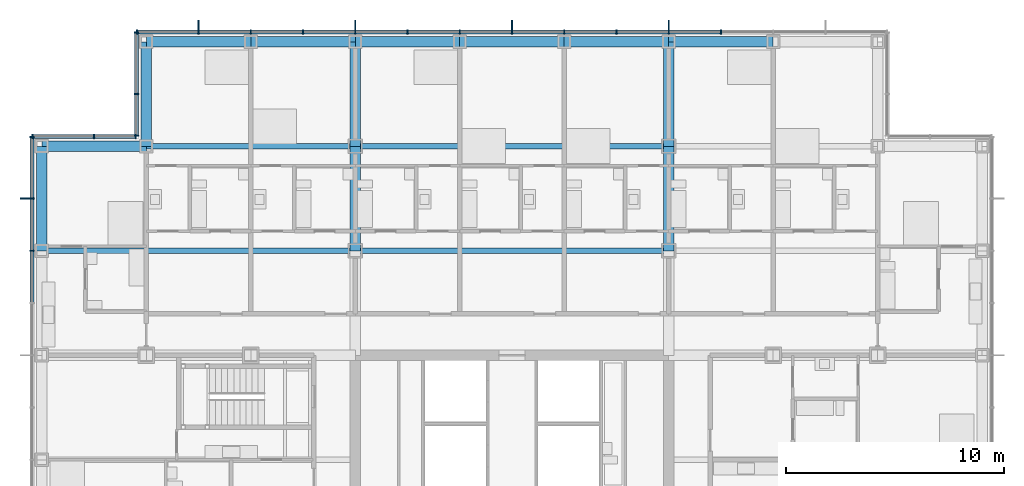
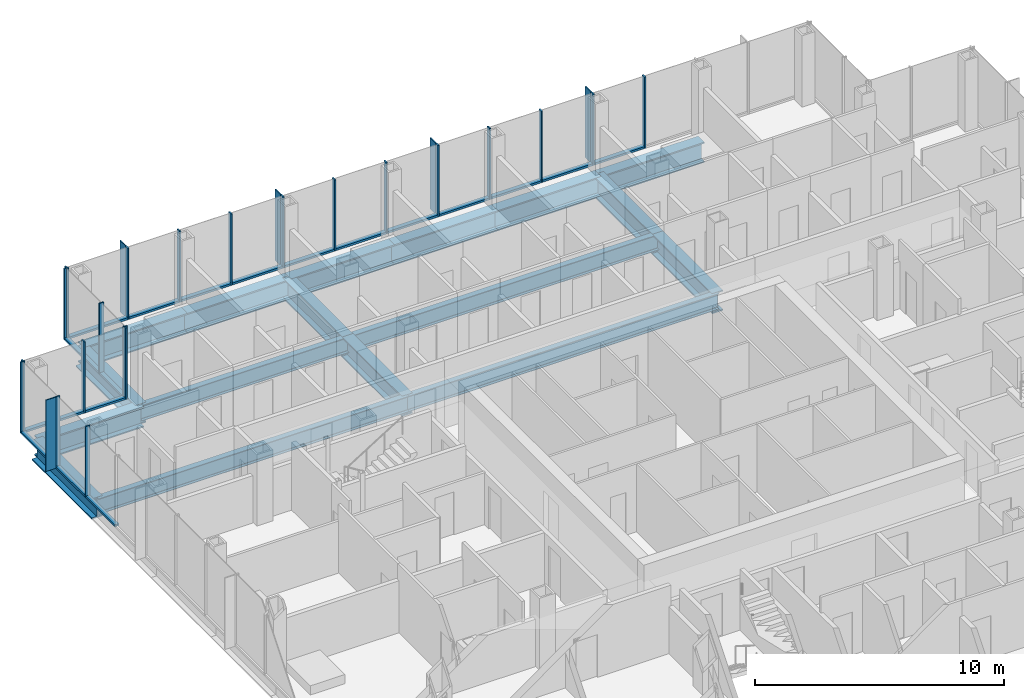
# One storey, part 10 of 22: 44 members, 17 beams, 4 elements without a shape of their own.
"""IFC4 building model written with IfcOpenShell, lengths in metres."""

from ifc_helpers import new_model, si_unit, direction, frame, origin, origin_2d, place, context, subcontext, project, spatial, rectangle, i_section, extrude, material, material_profile, profile_set, type_object, element, aggregate, save


model = new_model("IFC4")

# Units and contexts
model_context = context("Model", 3, precision=1e-05, world=origin(), true_north=direction((0.0, 1.0)))
body_context = subcontext(model_context, "Body", "Model", "MODEL_VIEW")
ifc_project = project(units=[si_unit("LENGTHUNIT", "METRE"), si_unit("AREAUNIT", "SQUARE_METRE"), si_unit("VOLUMEUNIT", "CUBIC_METRE"), si_unit("PLANEANGLEUNIT", "RADIAN"), si_unit("MASSUNIT", "GRAM", prefix="KILO")], contexts=[model_context])

# Site, building, storey
site_placement = place(None, origin())
site = spatial("IfcSite", under=ifc_project, at=site_placement, CompositionType="ELEMENT")
building_placement = place(site_placement, origin())
building = spatial("IfcBuilding", under=site, at=building_placement, Name="Kvirike Care Tower", CompositionType="ELEMENT")
storey_placement = place(building_placement, frame((0.0, 0.0, 69.0)))
storey = spatial("IfcBuildingStorey", under=building, at=storey_placement, Name="L18", CompositionType="ELEMENT", Elevation=69.0)

# Curtain wall, member
ifc_material_1 = material(Name="Anodised aluminium stick system", Category="aluminium")
curtain_wall_type = type_object("IfcCurtainWallType", Name="CW-A STICK CURTAIN WALL", PredefinedType="NOTDEFINED", material=ifc_material_1)
curtain_wall_1_placement = place(storey_placement, origin())
curtain_wall_1 = element("IfcCurtainWall", 1, at=curtain_wall_1_placement, inside=storey, type_object=curtain_wall_type, Name="Curtain wall L18 face 1", PredefinedType="NOTDEFINED")
ifc_material_2 = material(Name="Bronze anodised aluminium fin", Category="aluminium")
ifc_material_profile_1 = material_profile(ifc_material_2, rectangle(XDim=0.050048828125, YDim=0.449951171875, at=origin_2d()), Name="BRONZE FIN 450")
ifc_profile_set_1 = profile_set([ifc_material_profile_1], Name="Bronze anodised aluminium fin")
member_type_1 = type_object("IfcMemberType", Name="BRONZE FIN 450", PredefinedType="USERDEFINED", material=ifc_profile_set_1)
member_1_placement = place(storey_placement, frame((-0.77490234375, 50.39990234375, 0.0), z_axis=(0.0, 0.0, 1.0), x_axis=(0.0, -1.0, 0.0)))
member_1 = element("IfcMember", 2, at=member_1_placement, type_object=member_type_1, Name="Bronze fin L18 face 1.2", ObjectType="FIN", PredefinedType="USERDEFINED", context=body_context, shape_type="SweptSolid", body=[
    extrude(rectangle(XDim=0.050048828125, YDim=0.449951171875, at=origin_2d()), origin(), (0.0, 0.0, 1.0), 3.5),
])

# Curtain wall, members
curtain_wall_2_placement = place(storey_placement, origin())
curtain_wall_2 = element("IfcCurtainWall", 3, at=curtain_wall_2_placement, inside=storey, type_object=curtain_wall_type, Name="Curtain wall L18 face 10", PredefinedType="NOTDEFINED")
member_2_placement = place(storey_placement, frame((28.800048828125, 58.375, 0.0), z_axis=(0.0, 0.0, 1.0), x_axis=(-1.0, 0.0, 0.0)))
member_2 = element("IfcMember", 4, at=member_2_placement, type_object=member_type_1, Name="Bronze fin L18 face 10.5", ObjectType="FIN", PredefinedType="USERDEFINED", context=body_context, shape_type="SweptSolid", body=[
    extrude(rectangle(XDim=0.050048828125, YDim=0.449951171875, at=origin_2d()), origin(), (0.0, 0.0, 1.0), 3.5),
])
member_3_placement = place(storey_placement, frame((21.60009765625, 58.375, 0.0), z_axis=(0.0, 0.0, 1.0), x_axis=(-1.0, 0.0, 0.0)))
member_3 = element("IfcMember", 5, at=member_3_placement, type_object=member_type_1, Name="Bronze fin L18 face 10.8", ObjectType="FIN", PredefinedType="USERDEFINED", context=body_context, shape_type="SweptSolid", body=[
    extrude(rectangle(XDim=0.050048828125, YDim=0.449951171875, at=origin_2d()), origin(), (0.0, 0.0, 1.0), 3.5),
])
member_4_placement = place(storey_placement, frame((14.39990234375, 58.375, 0.0), z_axis=(0.0, 0.0, 1.0), x_axis=(-1.0, 0.0, 0.0)))
member_4 = element("IfcMember", 6, at=member_4_placement, type_object=member_type_1, Name="Bronze fin L18 face 10.11", ObjectType="FIN", PredefinedType="USERDEFINED", context=body_context, shape_type="SweptSolid", body=[
    extrude(rectangle(XDim=0.050048828125, YDim=0.449951171875, at=origin_2d()), origin(), (0.0, 0.0, 1.0), 3.5),
])
member_5_placement = place(storey_placement, frame((7.199951171875, 58.375, 0.0), z_axis=(0.0, 0.0, 1.0), x_axis=(-1.0, 0.0, 0.0)))
member_5 = element("IfcMember", 7, at=member_5_placement, type_object=member_type_1, Name="Bronze fin L18 face 10.14", ObjectType="FIN", PredefinedType="USERDEFINED", context=body_context, shape_type="SweptSolid", body=[
    extrude(rectangle(XDim=0.050048828125, YDim=0.449951171875, at=origin_2d()), origin(), (0.0, 0.0, 1.0), 3.5),
])

# Member
ifc_material_3 = material(Name="Bronze anodised aluminium mullion", Category="aluminium")
ifc_material_profile_2 = material_profile(ifc_material_3, rectangle(XDim=0.06494140625, YDim=0.199951171875, at=origin_2d()), Name="CW-A MULLION 65x200")
ifc_profile_set_2 = profile_set([ifc_material_profile_2], Name="Bronze anodised aluminium mullion")
member_type_2 = type_object("IfcMemberType", Name="CW-A MULLION 65x200", PredefinedType="MULLION", material=ifc_profile_set_2)
member_6_placement = place(storey_placement, frame((-0.449951171875, 53.217529296875, 0.0), z_axis=(0.0, 0.0, 1.0), x_axis=(0.0, -1.0, 0.0)))
member_6 = element("IfcMember", 8, at=member_6_placement, type_object=member_type_2, Name="CW-A mullion L18 face 1.1", PredefinedType="MULLION", context=body_context, shape_type="SweptSolid", body=[
    extrude(rectangle(XDim=0.06494140625, YDim=0.199951171875, at=origin_2d()), origin(), (0.0, 0.0, 1.0), 3.5),
])

member_7_placement = place(storey_placement, frame((-0.449951171875, 50.39990234375, 0.0), z_axis=(0.0, 0.0, 1.0), x_axis=(0.0, -1.0, 0.0)))
member_7 = element("IfcMember", 9, at=member_7_placement, type_object=member_type_2, Name="CW-A mullion L18 face 1.2", PredefinedType="MULLION", context=body_context, shape_type="SweptSolid", body=[
    extrude(rectangle(XDim=0.06494140625, YDim=0.199951171875, at=origin_2d()), origin(), (0.0, 0.0, 1.0), 3.5),
])

member_8_placement = place(storey_placement, frame((-0.449951171875, 48.0, 0.0), z_axis=(0.0, 0.0, 1.0), x_axis=(0.0, -1.0, 0.0)))
member_8 = element("IfcMember", 10, at=member_8_placement, type_object=member_type_2, Name="CW-A mullion L18 face 1.3", PredefinedType="MULLION", context=body_context, shape_type="SweptSolid", body=[
    extrude(rectangle(XDim=0.06494140625, YDim=0.199951171875, at=origin_2d()), origin(), (0.0, 0.0, 1.0), 3.5),
])

member_9_placement = place(storey_placement, frame((31.199951171875, 58.050048828125, 0.0), z_axis=(0.0, 0.0, 1.0), x_axis=(-1.0, 0.0, 0.0)))
member_9 = element("IfcMember", 11, at=member_9_placement, type_object=member_type_2, Name="CW-A mullion L18 face 10.4", PredefinedType="MULLION", context=body_context, shape_type="SweptSolid", body=[
    extrude(rectangle(XDim=0.06494140625, YDim=0.199951171875, at=origin_2d()), origin(), (0.0, 0.0, 1.0), 3.5),
])

member_10_placement = place(storey_placement, frame((28.800048828125, 58.050048828125, 0.0), z_axis=(0.0, 0.0, 1.0), x_axis=(-1.0, 0.0, 0.0)))
member_10 = element("IfcMember", 12, at=member_10_placement, type_object=member_type_2, Name="CW-A mullion L18 face 10.5", PredefinedType="MULLION", context=body_context, shape_type="SweptSolid", body=[
    extrude(rectangle(XDim=0.06494140625, YDim=0.199951171875, at=origin_2d()), origin(), (0.0, 0.0, 1.0), 3.5),
])

member_11_placement = place(storey_placement, frame((26.39990234375, 58.050048828125, 0.0), z_axis=(0.0, 0.0, 1.0), x_axis=(-1.0, 0.0, 0.0)))
member_11 = element("IfcMember", 13, at=member_11_placement, type_object=member_type_2, Name="CW-A mullion L18 face 10.6", PredefinedType="MULLION", context=body_context, shape_type="SweptSolid", body=[
    extrude(rectangle(XDim=0.06494140625, YDim=0.199951171875, at=origin_2d()), origin(), (0.0, 0.0, 1.0), 3.5),
])

member_12_placement = place(storey_placement, frame((24.0, 58.050048828125, 0.0), z_axis=(0.0, 0.0, 1.0), x_axis=(-1.0, 0.0, 0.0)))
member_12 = element("IfcMember", 14, at=member_12_placement, type_object=member_type_2, Name="CW-A mullion L18 face 10.7", PredefinedType="MULLION", context=body_context, shape_type="SweptSolid", body=[
    extrude(rectangle(XDim=0.06494140625, YDim=0.199951171875, at=origin_2d()), origin(), (0.0, 0.0, 1.0), 3.5),
])

member_13_placement = place(storey_placement, frame((21.60009765625, 58.050048828125, 0.0), z_axis=(0.0, 0.0, 1.0), x_axis=(-1.0, 0.0, 0.0)))
member_13 = element("IfcMember", 15, at=member_13_placement, type_object=member_type_2, Name="CW-A mullion L18 face 10.8", PredefinedType="MULLION", context=body_context, shape_type="SweptSolid", body=[
    extrude(rectangle(XDim=0.06494140625, YDim=0.199951171875, at=origin_2d()), origin(), (0.0, 0.0, 1.0), 3.5),
])

member_14_placement = place(storey_placement, frame((19.199951171875, 58.050048828125, 0.0), z_axis=(0.0, 0.0, 1.0), x_axis=(-1.0, 0.0, 0.0)))
member_14 = element("IfcMember", 16, at=member_14_placement, type_object=member_type_2, Name="CW-A mullion L18 face 10.9", PredefinedType="MULLION", context=body_context, shape_type="SweptSolid", body=[
    extrude(rectangle(XDim=0.06494140625, YDim=0.199951171875, at=origin_2d()), origin(), (0.0, 0.0, 1.0), 3.5),
])

member_15_placement = place(storey_placement, frame((16.800048828125, 58.050048828125, 0.0), z_axis=(0.0, 0.0, 1.0), x_axis=(-1.0, 0.0, 0.0)))
member_15 = element("IfcMember", 17, at=member_15_placement, type_object=member_type_2, Name="CW-A mullion L18 face 10.10", PredefinedType="MULLION", context=body_context, shape_type="SweptSolid", body=[
    extrude(rectangle(XDim=0.06494140625, YDim=0.199951171875, at=origin_2d()), origin(), (0.0, 0.0, 1.0), 3.5),
])

member_16_placement = place(storey_placement, frame((14.39990234375, 58.050048828125, 0.0), z_axis=(0.0, 0.0, 1.0), x_axis=(-1.0, 0.0, 0.0)))
member_16 = element("IfcMember", 18, at=member_16_placement, type_object=member_type_2, Name="CW-A mullion L18 face 10.11", PredefinedType="MULLION", context=body_context, shape_type="SweptSolid", body=[
    extrude(rectangle(XDim=0.06494140625, YDim=0.199951171875, at=origin_2d()), origin(), (0.0, 0.0, 1.0), 3.5),
])

member_17_placement = place(storey_placement, frame((12.0, 58.050048828125, 0.0), z_axis=(0.0, 0.0, 1.0), x_axis=(-1.0, 0.0, 0.0)))
member_17 = element("IfcMember", 19, at=member_17_placement, type_object=member_type_2, Name="CW-A mullion L18 face 10.12", PredefinedType="MULLION", context=body_context, shape_type="SweptSolid", body=[
    extrude(rectangle(XDim=0.06494140625, YDim=0.199951171875, at=origin_2d()), origin(), (0.0, 0.0, 1.0), 3.5),
])

member_18_placement = place(storey_placement, frame((9.60009765625, 58.050048828125, 0.0), z_axis=(0.0, 0.0, 1.0), x_axis=(-1.0, 0.0, 0.0)))
member_18 = element("IfcMember", 20, at=member_18_placement, type_object=member_type_2, Name="CW-A mullion L18 face 10.13", PredefinedType="MULLION", context=body_context, shape_type="SweptSolid", body=[
    extrude(rectangle(XDim=0.06494140625, YDim=0.199951171875, at=origin_2d()), origin(), (0.0, 0.0, 1.0), 3.5),
])

member_19_placement = place(storey_placement, frame((7.199951171875, 58.050048828125, 0.0), z_axis=(0.0, 0.0, 1.0), x_axis=(-1.0, 0.0, 0.0)))
member_19 = element("IfcMember", 21, at=member_19_placement, type_object=member_type_2, Name="CW-A mullion L18 face 10.14", PredefinedType="MULLION", context=body_context, shape_type="SweptSolid", body=[
    extrude(rectangle(XDim=0.06494140625, YDim=0.199951171875, at=origin_2d()), origin(), (0.0, 0.0, 1.0), 3.5),
])

member_20_placement = place(storey_placement, frame((4.382568359375, 58.050048828125, 0.0), z_axis=(0.0, 0.0, 1.0), x_axis=(-1.0, 0.0, 0.0)))
member_20 = element("IfcMember", 22, at=member_20_placement, type_object=member_type_2, Name="CW-A mullion L18 face 10.15", PredefinedType="MULLION", context=body_context, shape_type="SweptSolid", body=[
    extrude(rectangle(XDim=0.06494140625, YDim=0.199951171875, at=origin_2d()), origin(), (0.0, 0.0, 1.0), 3.5),
])

# Curtain wall, members
curtain_wall_3_placement = place(storey_placement, origin())
curtain_wall_3 = element("IfcCurtainWall", 23, at=curtain_wall_3_placement, inside=storey, type_object=curtain_wall_type, Name="Curtain wall L18 face 11", PredefinedType="NOTDEFINED")
member_21_placement = place(storey_placement, frame((4.35009765625, 58.017578125, 0.0), z_axis=(0.0, 0.0, 1.0), x_axis=(0.0, -1.0, 0.0)))
member_21 = element("IfcMember", 24, at=member_21_placement, type_object=member_type_2, Name="CW-A mullion L18 face 11.1", PredefinedType="MULLION", context=body_context, shape_type="SweptSolid", body=[
    extrude(rectangle(XDim=0.06494140625, YDim=0.199951171875, at=origin_2d()), origin(), (0.0, 0.0, 1.0), 3.5),
])
member_22_placement = place(storey_placement, frame((4.35009765625, 55.199951171875, 0.0), z_axis=(0.0, 0.0, 1.0), x_axis=(0.0, -1.0, 0.0)))
member_22 = element("IfcMember", 25, at=member_22_placement, type_object=member_type_2, Name="CW-A mullion L18 face 11.2", PredefinedType="MULLION", context=body_context, shape_type="SweptSolid", body=[
    extrude(rectangle(XDim=0.06494140625, YDim=0.199951171875, at=origin_2d()), origin(), (0.0, 0.0, 1.0), 3.5),
])
member_23_placement = place(storey_placement, frame((4.35009765625, 53.282470703125, 0.0), z_axis=(0.0, 0.0, 1.0), x_axis=(0.0, -1.0, 0.0)))
member_23 = element("IfcMember", 26, at=member_23_placement, type_object=member_type_2, Name="CW-A mullion L18 face 11.3", PredefinedType="MULLION", context=body_context, shape_type="SweptSolid", body=[
    extrude(rectangle(XDim=0.06494140625, YDim=0.199951171875, at=origin_2d()), origin(), (0.0, 0.0, 1.0), 3.5),
])

curtain_wall_4_placement = place(storey_placement, origin())
curtain_wall_4 = element("IfcCurtainWall", 27, at=curtain_wall_4_placement, inside=storey, type_object=curtain_wall_type, Name="Curtain wall L18 face 12", PredefinedType="NOTDEFINED")
member_24_placement = place(storey_placement, frame((4.3173828125, 53.25, 0.0), z_axis=(0.0, 0.0, 1.0), x_axis=(-1.0, 0.0, 0.0)))
member_24 = element("IfcMember", 28, at=member_24_placement, type_object=member_type_2, Name="CW-A mullion L18 face 12.1", PredefinedType="MULLION", context=body_context, shape_type="SweptSolid", body=[
    extrude(rectangle(XDim=0.06494140625, YDim=0.199951171875, at=origin_2d()), origin(), (0.0, 0.0, 1.0), 3.5),
])
member_25_placement = place(storey_placement, frame((2.39990234375, 53.25, 0.0), z_axis=(0.0, 0.0, 1.0), x_axis=(-1.0, 0.0, 0.0)))
member_25 = element("IfcMember", 29, at=member_25_placement, type_object=member_type_2, Name="CW-A mullion L18 face 12.2", PredefinedType="MULLION", context=body_context, shape_type="SweptSolid", body=[
    extrude(rectangle(XDim=0.06494140625, YDim=0.199951171875, at=origin_2d()), origin(), (0.0, 0.0, 1.0), 3.5),
])
member_26_placement = place(storey_placement, frame((-0.41748046875, 53.25, 0.0), z_axis=(0.0, 0.0, 1.0), x_axis=(-1.0, 0.0, 0.0)))
member_26 = element("IfcMember", 30, at=member_26_placement, type_object=member_type_2, Name="CW-A mullion L18 face 12.3", PredefinedType="MULLION", context=body_context, shape_type="SweptSolid", body=[
    extrude(rectangle(XDim=0.06494140625, YDim=0.199951171875, at=origin_2d()), origin(), (0.0, 0.0, 1.0), 3.5),
])

# Member
ifc_material_4 = material(Name="Bronze anodised aluminium transom", Category="aluminium")
ifc_material_profile_3 = material_profile(ifc_material_4, rectangle(XDim=0.199951171875, YDim=0.10009765625, at=origin_2d()), Name="CW-A TRANSOM 200x100")
ifc_profile_set_3 = profile_set([ifc_material_profile_3], Name="Bronze anodised aluminium transom")
member_type_3 = type_object("IfcMemberType", Name="CW-A TRANSOM 200x100", PredefinedType="USERDEFINED", material=ifc_profile_set_3)
member_27_placement = place(storey_placement, frame((-0.449951171875, 53.18505859375, 0.050048828125), z_axis=(0.0, -1.0, 0.0), x_axis=(1.0, 0.0, 0.0)))
member_27 = element("IfcMember", 31, at=member_27_placement, type_object=member_type_3, Name="CW-A sill transom L18 face 1.1", ObjectType="TRANSOM", PredefinedType="USERDEFINED", context=body_context, shape_type="SweptSolid", body=[
    extrude(rectangle(XDim=0.199951171875, YDim=0.10009765625, at=origin_2d()), origin(), (0.0, 0.0, 1.0), 2.75244140625),
])

member_28_placement = place(storey_placement, frame((-0.449951171875, 50.367431640625, 0.050048828125), z_axis=(0.0, -1.0, 0.0), x_axis=(1.0, 0.0, 0.0)))
member_28 = element("IfcMember", 32, at=member_28_placement, type_object=member_type_3, Name="CW-A sill transom L18 face 1.2", ObjectType="TRANSOM", PredefinedType="USERDEFINED", context=body_context, shape_type="SweptSolid", body=[
    extrude(rectangle(XDim=0.199951171875, YDim=0.10009765625, at=origin_2d()), origin(), (0.0, 0.0, 1.0), 2.3349609375),
])

member_29_placement = place(storey_placement, frame((-0.449951171875, 47.967529296875, 0.050048828125), z_axis=(0.0, -1.0, 0.0), x_axis=(1.0, 0.0, 0.0)))
member_29 = element("IfcMember", 33, at=member_29_placement, type_object=member_type_3, Name="CW-A sill transom L18 face 1.3", ObjectType="TRANSOM", PredefinedType="USERDEFINED", context=body_context, shape_type="SweptSolid", body=[
    extrude(rectangle(XDim=0.199951171875, YDim=0.10009765625, at=origin_2d()), origin(), (0.0, 0.0, 1.0), 2.3349609375),
])

aggregate(curtain_wall_1, [member_6, member_7, member_1, member_8, member_27, member_28, member_29])

member_30_placement = place(storey_placement, frame((31.16748046875, 58.050048828125, 0.050048828125), z_axis=(-1.0, 0.0, 0.0), x_axis=(0.0, -1.0, 0.0)))
member_30 = element("IfcMember", 34, at=member_30_placement, type_object=member_type_3, Name="CW-A sill transom L18 face 10.4", ObjectType="TRANSOM", PredefinedType="USERDEFINED", context=body_context, shape_type="SweptSolid", body=[
    extrude(rectangle(XDim=0.199951171875, YDim=0.10009765625, at=origin_2d()), origin(), (0.0, 0.0, 1.0), 2.3349609375),
])

member_31_placement = place(storey_placement, frame((28.767578125, 58.050048828125, 0.050048828125), z_axis=(-1.0, 0.0, 0.0), x_axis=(0.0, -1.0, 0.0)))
member_31 = element("IfcMember", 35, at=member_31_placement, type_object=member_type_3, Name="CW-A sill transom L18 face 10.5", ObjectType="TRANSOM", PredefinedType="USERDEFINED", context=body_context, shape_type="SweptSolid", body=[
    extrude(rectangle(XDim=0.199951171875, YDim=0.10009765625, at=origin_2d()), origin(), (0.0, 0.0, 1.0), 2.3349609375),
])

member_32_placement = place(storey_placement, frame((26.367431640625, 58.050048828125, 0.050048828125), z_axis=(-1.0, 0.0, 0.0), x_axis=(0.0, -1.0, 0.0)))
member_32 = element("IfcMember", 36, at=member_32_placement, type_object=member_type_3, Name="CW-A sill transom L18 face 10.6", ObjectType="TRANSOM", PredefinedType="USERDEFINED", context=body_context, shape_type="SweptSolid", body=[
    extrude(rectangle(XDim=0.199951171875, YDim=0.10009765625, at=origin_2d()), origin(), (0.0, 0.0, 1.0), 2.3349609375),
])

member_33_placement = place(storey_placement, frame((23.967529296875, 58.050048828125, 0.050048828125), z_axis=(-1.0, 0.0, 0.0), x_axis=(0.0, -1.0, 0.0)))
member_33 = element("IfcMember", 37, at=member_33_placement, type_object=member_type_3, Name="CW-A sill transom L18 face 10.7", ObjectType="TRANSOM", PredefinedType="USERDEFINED", context=body_context, shape_type="SweptSolid", body=[
    extrude(rectangle(XDim=0.199951171875, YDim=0.10009765625, at=origin_2d()), origin(), (0.0, 0.0, 1.0), 2.3349609375),
])

member_34_placement = place(storey_placement, frame((21.5673828125, 58.050048828125, 0.050048828125), z_axis=(-1.0, 0.0, 0.0), x_axis=(0.0, -1.0, 0.0)))
member_34 = element("IfcMember", 38, at=member_34_placement, type_object=member_type_3, Name="CW-A sill transom L18 face 10.8", ObjectType="TRANSOM", PredefinedType="USERDEFINED", context=body_context, shape_type="SweptSolid", body=[
    extrude(rectangle(XDim=0.199951171875, YDim=0.10009765625, at=origin_2d()), origin(), (0.0, 0.0, 1.0), 2.3349609375),
])

member_35_placement = place(storey_placement, frame((19.16748046875, 58.050048828125, 0.050048828125), z_axis=(-1.0, 0.0, 0.0), x_axis=(0.0, -1.0, 0.0)))
member_35 = element("IfcMember", 39, at=member_35_placement, type_object=member_type_3, Name="CW-A sill transom L18 face 10.9", ObjectType="TRANSOM", PredefinedType="USERDEFINED", context=body_context, shape_type="SweptSolid", body=[
    extrude(rectangle(XDim=0.199951171875, YDim=0.10009765625, at=origin_2d()), origin(), (0.0, 0.0, 1.0), 2.3349609375),
])

member_36_placement = place(storey_placement, frame((16.767578125, 58.050048828125, 0.050048828125), z_axis=(-1.0, 0.0, 0.0), x_axis=(0.0, -1.0, 0.0)))
member_36 = element("IfcMember", 40, at=member_36_placement, type_object=member_type_3, Name="CW-A sill transom L18 face 10.10", ObjectType="TRANSOM", PredefinedType="USERDEFINED", context=body_context, shape_type="SweptSolid", body=[
    extrude(rectangle(XDim=0.199951171875, YDim=0.10009765625, at=origin_2d()), origin(), (0.0, 0.0, 1.0), 2.3349609375),
])

member_37_placement = place(storey_placement, frame((14.367431640625, 58.050048828125, 0.050048828125), z_axis=(-1.0, 0.0, 0.0), x_axis=(0.0, -1.0, 0.0)))
member_37 = element("IfcMember", 41, at=member_37_placement, type_object=member_type_3, Name="CW-A sill transom L18 face 10.11", ObjectType="TRANSOM", PredefinedType="USERDEFINED", context=body_context, shape_type="SweptSolid", body=[
    extrude(rectangle(XDim=0.199951171875, YDim=0.10009765625, at=origin_2d()), origin(), (0.0, 0.0, 1.0), 2.3349609375),
])

member_38_placement = place(storey_placement, frame((11.967529296875, 58.050048828125, 0.050048828125), z_axis=(-1.0, 0.0, 0.0), x_axis=(0.0, -1.0, 0.0)))
member_38 = element("IfcMember", 42, at=member_38_placement, type_object=member_type_3, Name="CW-A sill transom L18 face 10.12", ObjectType="TRANSOM", PredefinedType="USERDEFINED", context=body_context, shape_type="SweptSolid", body=[
    extrude(rectangle(XDim=0.199951171875, YDim=0.10009765625, at=origin_2d()), origin(), (0.0, 0.0, 1.0), 2.3349609375),
])

member_39_placement = place(storey_placement, frame((9.5673828125, 58.050048828125, 0.050048828125), z_axis=(-1.0, 0.0, 0.0), x_axis=(0.0, -1.0, 0.0)))
member_39 = element("IfcMember", 43, at=member_39_placement, type_object=member_type_3, Name="CW-A sill transom L18 face 10.13", ObjectType="TRANSOM", PredefinedType="USERDEFINED", context=body_context, shape_type="SweptSolid", body=[
    extrude(rectangle(XDim=0.199951171875, YDim=0.10009765625, at=origin_2d()), origin(), (0.0, 0.0, 1.0), 2.3349609375),
])

member_40_placement = place(storey_placement, frame((7.16748046875, 58.050048828125, 0.050048828125), z_axis=(-1.0, 0.0, 0.0), x_axis=(0.0, -1.0, 0.0)))
member_40 = element("IfcMember", 44, at=member_40_placement, type_object=member_type_3, Name="CW-A sill transom L18 face 10.14", ObjectType="TRANSOM", PredefinedType="USERDEFINED", context=body_context, shape_type="SweptSolid", body=[
    extrude(rectangle(XDim=0.199951171875, YDim=0.10009765625, at=origin_2d()), origin(), (0.0, 0.0, 1.0), 2.75244140625),
])

aggregate(curtain_wall_2, [member_9, member_10, member_2, member_11, member_12, member_13, member_3, member_14, member_15, member_16, member_4, member_17, member_18, member_19, member_5, member_20, member_30, member_31, member_32, member_33, member_34, member_35, member_36, member_37, member_38, member_39, member_40])

member_41_placement = place(storey_placement, frame((4.35009765625, 57.985107421875, 0.050048828125), z_axis=(0.0, -1.0, 0.0), x_axis=(1.0, 0.0, 0.0)))
member_41 = element("IfcMember", 45, at=member_41_placement, type_object=member_type_3, Name="CW-A sill transom L18 face 11.1", ObjectType="TRANSOM", PredefinedType="USERDEFINED", context=body_context, shape_type="SweptSolid", body=[
    extrude(rectangle(XDim=0.199951171875, YDim=0.10009765625, at=origin_2d()), origin(), (0.0, 0.0, 1.0), 2.752685546875),
])

member_42_placement = place(storey_placement, frame((4.35009765625, 55.16748046875, 0.050048828125), z_axis=(0.0, -1.0, 0.0), x_axis=(1.0, 0.0, 0.0)))
member_42 = element("IfcMember", 46, at=member_42_placement, type_object=member_type_3, Name="CW-A sill transom L18 face 11.2", ObjectType="TRANSOM", PredefinedType="USERDEFINED", context=body_context, shape_type="SweptSolid", body=[
    extrude(rectangle(XDim=0.199951171875, YDim=0.10009765625, at=origin_2d()), origin(), (0.0, 0.0, 1.0), 1.8525390625),
])

aggregate(curtain_wall_3, [member_21, member_22, member_23, member_41, member_42])

member_43_placement = place(storey_placement, frame((4.284912109375, 53.25, 0.050048828125), z_axis=(-1.0, 0.0, 0.0), x_axis=(0.0, -1.0, 0.0)))
member_43 = element("IfcMember", 47, at=member_43_placement, type_object=member_type_3, Name="CW-A sill transom L18 face 12.1", ObjectType="TRANSOM", PredefinedType="USERDEFINED", context=body_context, shape_type="SweptSolid", body=[
    extrude(rectangle(XDim=0.199951171875, YDim=0.10009765625, at=origin_2d()), origin(), (0.0, 0.0, 1.0), 1.852294921875),
])

member_44_placement = place(storey_placement, frame((2.367431640625, 53.25, 0.050048828125), z_axis=(-1.0, 0.0, 0.0), x_axis=(0.0, -1.0, 0.0)))
member_44 = element("IfcMember", 48, at=member_44_placement, type_object=member_type_3, Name="CW-A sill transom L18 face 12.2", ObjectType="TRANSOM", PredefinedType="USERDEFINED", context=body_context, shape_type="SweptSolid", body=[
    extrude(rectangle(XDim=0.199951171875, YDim=0.10009765625, at=origin_2d()), origin(), (0.0, 0.0, 1.0), 2.75244140625),
])

aggregate(curtain_wall_4, [member_24, member_25, member_26, member_43, member_44])

# Beams
ifc_material_5 = material(Name="Steel S355", Category="steel")
ifc_material_profile_4 = material_profile(ifc_material_5, i_section(OverallWidth=0.26806640625, OverallDepth=0.77001953125, WebThickness=0.015625, FlangeThickness=0.025390625, FilletRadius=0.01708984375, at=origin_2d()), Name="IPE 750x196")
ifc_profile_set_4 = profile_set([ifc_material_profile_4], Name="Steel S355")
beam_type_1 = type_object("IfcBeamType", Name="FLOOR BEAM IPE 750x196", PredefinedType="BEAM", material=ifc_profile_set_4)
beam_1_placement = place(storey_placement, frame((0.0, 48.0, -0.554931640625), z_axis=(1.0, 0.0, 0.0), x_axis=(0.0, 1.0, 0.0)))
element("IfcBeam", 49, at=beam_1_placement, inside=storey, type_object=beam_type_1, Name="Floor Beam L3-L6 L18", PredefinedType="BEAM", context=body_context, shape_type="SweptSolid", body=[
    extrude(i_section(OverallWidth=0.26806640625, OverallDepth=0.77001953125, WebThickness=0.015625, FlangeThickness=0.025390625, FilletRadius=0.01708984375, at=origin_2d()), origin(), (0.0, 0.0, 1.0), 14.39990234375),
])
beam_2_placement = place(storey_placement, frame((14.39990234375, 48.0, -0.554931640625), z_axis=(1.0, 0.0, 0.0), x_axis=(0.0, 1.0, 0.0)))
element("IfcBeam", 50, at=beam_2_placement, inside=storey, type_object=beam_type_1, Name="Floor Beam L6-L9 L18", PredefinedType="BEAM", context=body_context, shape_type="SweptSolid", body=[
    extrude(i_section(OverallWidth=0.26806640625, OverallDepth=0.77001953125, WebThickness=0.015625, FlangeThickness=0.025390625, FilletRadius=0.01708984375, at=origin_2d()), origin(), (0.0, 0.0, 1.0), 14.400146484375),
])
beam_3_placement = place(storey_placement, frame((4.800048828125, 52.800048828125, -0.554931640625), z_axis=(1.0, 0.0, 0.0), x_axis=(0.0, 1.0, 0.0)))
element("IfcBeam", 51, at=beam_3_placement, inside=storey, type_object=beam_type_1, Name="Floor Beam M4-M6 L18", PredefinedType="BEAM", context=body_context, shape_type="SweptSolid", body=[
    extrude(i_section(OverallWidth=0.26806640625, OverallDepth=0.77001953125, WebThickness=0.015625, FlangeThickness=0.025390625, FilletRadius=0.01708984375, at=origin_2d()), origin(), (0.0, 0.0, 1.0), 9.599853515625),
])
beam_4_placement = place(storey_placement, frame((14.39990234375, 52.800048828125, -0.554931640625), z_axis=(1.0, 0.0, 0.0), x_axis=(0.0, 1.0, 0.0)))
element("IfcBeam", 52, at=beam_4_placement, inside=storey, type_object=beam_type_1, Name="Floor Beam M6-M9 L18", PredefinedType="BEAM", context=body_context, shape_type="SweptSolid", body=[
    extrude(i_section(OverallWidth=0.26806640625, OverallDepth=0.77001953125, WebThickness=0.015625, FlangeThickness=0.025390625, FilletRadius=0.01708984375, at=origin_2d()), origin(), (0.0, 0.0, 1.0), 14.400146484375),
])
ifc_material_6 = material(Name="Steel S355", Category="steel")
ifc_material_profile_5 = material_profile(ifc_material_6, i_section(OverallWidth=0.5, OverallDepth=1.0, WebThickness=0.030029296875, FlangeThickness=0.06005859375, at=origin_2d()), Name="PG 1000x500x30x60")
ifc_profile_set_5 = profile_set([ifc_material_profile_5], Name="Steel S355")
beam_type_2 = type_object("IfcBeamType", Name="FRAME BEAM PG 1000x500x30x60", PredefinedType="BEAM", material=ifc_profile_set_5)
for number, where, z_axis, x_axis, name in (
    (53, (14.39990234375, 48.0, -0.669921875), (0.0, 1.0, 0.0), (-1.0, 0.0, 0.0), "Frame Beam L6-M6 L18"),
    (54, (14.39990234375, 52.800048828125, -0.669921875), (0.0, 1.0, 0.0), (-1.0, 0.0, 0.0), "Frame Beam M6-N6 L18"),
    (55, (28.800048828125, 48.0, -0.669921875), (0.0, 1.0, 0.0), (-1.0, 0.0, 0.0), "Frame Beam L9-M9 L18"),
    (56, (28.800048828125, 52.800048828125, -0.669921875), (0.0, 1.0, 0.0), (-1.0, 0.0, 0.0), "Frame Beam M9-N9 L18"),
):
    element("IfcBeam", number, at=place(storey_placement, frame(where, z_axis=z_axis, x_axis=x_axis)), inside=storey, type_object=beam_type_2, Name=name, PredefinedType="BEAM", context=body_context, shape_type="SweptSolid", body=[
        extrude(i_section(OverallWidth=0.5, OverallDepth=1.0, WebThickness=0.030029296875, FlangeThickness=0.06005859375, at=origin_2d()), origin(), (0.0, 0.0, 1.0), 4.800048828125),
    ])
ifc_material_7 = material(Name="Steel S355", Category="steel")
ifc_material_profile_6 = material_profile(ifc_material_7, i_section(OverallWidth=0.5, OverallDepth=1.0, WebThickness=0.030029296875, FlangeThickness=0.06005859375, at=origin_2d()), Name="PG 1000x500x30x60")
ifc_profile_set_6 = profile_set([ifc_material_profile_6], Name="Steel S355")
beam_type_3 = type_object("IfcBeamType", Name="SPANDREL PG 1000x500x30x60", PredefinedType="SPANDREL", material=ifc_profile_set_6)
for number, where, z_axis, x_axis, name in (
    (57, (0.0, 52.800048828125, -0.669921875), (1.0, 0.0, 0.0), (0.0, 1.0, 0.0), "Spandrel M3-M4 L18"),
    (58, (4.800048828125, 57.60009765625, -0.669921875), (1.0, 0.0, 0.0), (0.0, 1.0, 0.0), "Spandrel N4-N5 L18"),
):
    element("IfcBeam", number, at=place(storey_placement, frame(where, z_axis=z_axis, x_axis=x_axis)), inside=storey, type_object=beam_type_3, Name=name, PredefinedType="SPANDREL", context=body_context, shape_type="SweptSolid", body=[
        extrude(i_section(OverallWidth=0.5, OverallDepth=1.0, WebThickness=0.030029296875, FlangeThickness=0.06005859375, at=origin_2d()), origin(), (0.0, 0.0, 1.0), 4.800048828125),
    ])
beam_5_placement = place(storey_placement, frame((9.60009765625, 57.60009765625, -0.669921875), z_axis=(1.0, 0.0, 0.0), x_axis=(0.0, 1.0, 0.0)))
element("IfcBeam", 59, at=beam_5_placement, inside=storey, type_object=beam_type_3, Name="Spandrel N5-N6 L18", PredefinedType="SPANDREL", context=body_context, shape_type="SweptSolid", body=[
    extrude(i_section(OverallWidth=0.5, OverallDepth=1.0, WebThickness=0.030029296875, FlangeThickness=0.06005859375, at=origin_2d()), origin(), (0.0, 0.0, 1.0), 4.7998046875),
])
for number, where, z_axis, x_axis, name in (
    (60, (14.39990234375, 57.60009765625, -0.669921875), (1.0, 0.0, 0.0), (0.0, 1.0, 0.0), "Spandrel N6-N7 L18"),
    (61, (19.199951171875, 57.60009765625, -0.669921875), (1.0, 0.0, 0.0), (0.0, 1.0, 0.0), "Spandrel N7-N8 L18"),
    (62, (24.0, 57.60009765625, -0.669921875), (1.0, 0.0, 0.0), (0.0, 1.0, 0.0), "Spandrel N8-N9 L18"),
    (63, (28.800048828125, 57.60009765625, -0.669921875), (1.0, 0.0, 0.0), (0.0, 1.0, 0.0), "Spandrel N9-N10 L18"),
    (64, (0.0, 48.0, -0.669921875), (0.0, 1.0, 0.0), (-1.0, 0.0, 0.0), "Spandrel L3-M3 L18"),
    (65, (4.800048828125, 52.800048828125, -0.669921875), (0.0, 1.0, 0.0), (-1.0, 0.0, 0.0), "Spandrel M4-N4 L18"),
):
    element("IfcBeam", number, at=place(storey_placement, frame(where, z_axis=z_axis, x_axis=x_axis)), inside=storey, type_object=beam_type_3, Name=name, PredefinedType="SPANDREL", context=body_context, shape_type="SweptSolid", body=[
        extrude(i_section(OverallWidth=0.5, OverallDepth=1.0, WebThickness=0.030029296875, FlangeThickness=0.06005859375, at=origin_2d()), origin(), (0.0, 0.0, 1.0), 4.800048828125),
    ])

save(model, "model.ifc")
